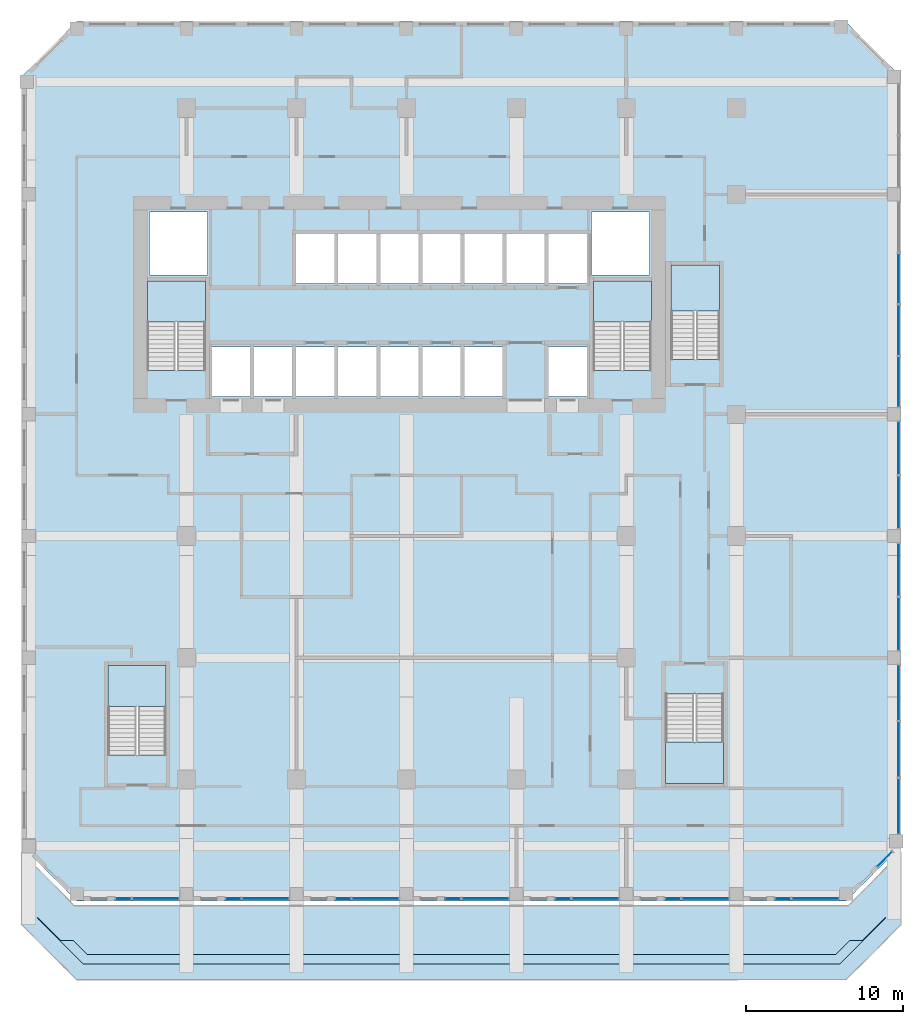
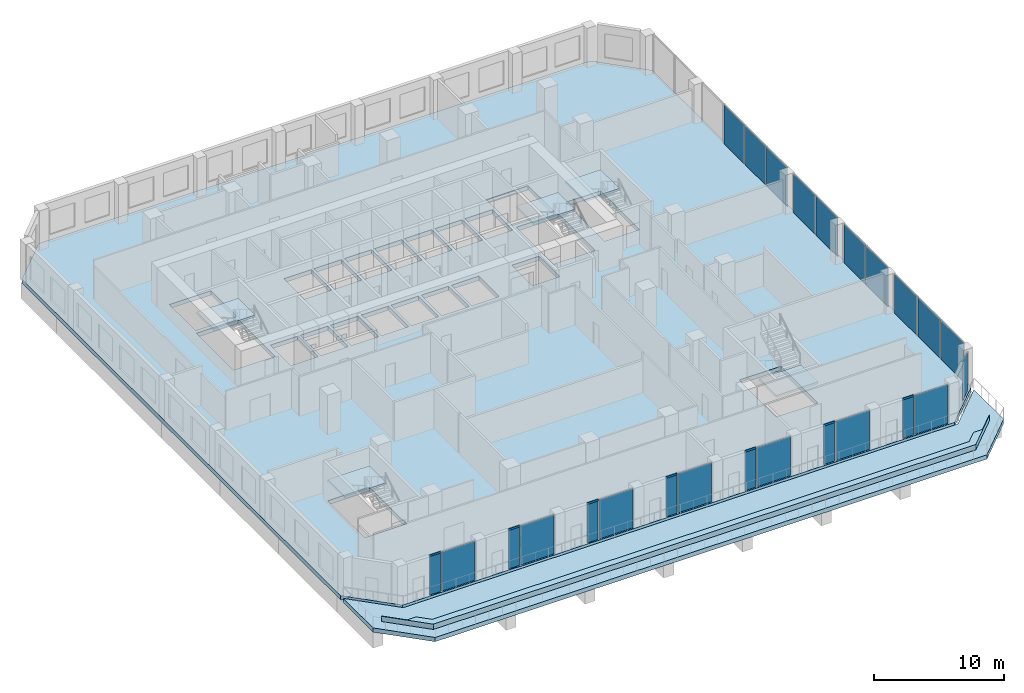
# One storey, part 8 of 17: 25 plates, 8 slabs, 7 members, 30 elements without a shape of their own.
"""IFC4 building model written with IfcOpenShell, lengths in metres."""

from ifc_helpers import new_model, si_unit, direction, frame, origin, origin_2d, place, context, subcontext, project, spatial, polyline, rectangle, outline, extrude, source, transform, mapped, material, layer, layer_set, material_profile, profile_set, type_object, element, aggregate, save


model = new_model("IFC4")

# Units and contexts
model_context = context("Model", 3, precision=1e-05, world=origin(), true_north=direction((0.0, 1.0)))
body_context = subcontext(model_context, "Body", "Model", "MODEL_VIEW")
ifc_project = project(units=[si_unit("LENGTHUNIT", "METRE"), si_unit("AREAUNIT", "SQUARE_METRE"), si_unit("VOLUMEUNIT", "CUBIC_METRE"), si_unit("PLANEANGLEUNIT", "RADIAN"), si_unit("MASSUNIT", "GRAM", prefix="KILO")], contexts=[model_context])

# Site, building, storey
site_placement = place(None, origin())
site = spatial("IfcSite", under=ifc_project, at=site_placement, CompositionType="ELEMENT")
building_placement = place(site_placement, origin())
building = spatial("IfcBuilding", under=site, at=building_placement, Name="Kilnfold Tower and Market Hall", CompositionType="ELEMENT")
storey_placement = place(building_placement, frame((0.0, 0.0, 100.60009765625)))
storey = spatial("IfcBuildingStorey", under=building, at=storey_placement, Name="L23", CompositionType="ELEMENT", Elevation=100.60009765625)

# Curtain wall, member
ifc_material_1 = material(Name="Aluminium and double glazing", Category="aluminium")
curtain_wall_type = type_object("IfcCurtainWallType", Name="CW OF2 VALLEY GLAZING", PredefinedType="NOTDEFINED", material=ifc_material_1)
curtain_wall_1_placement = place(storey_placement, origin())
curtain_wall_1 = element("IfcCurtainWall", 1, at=curtain_wall_1_placement, inside=storey, type_object=curtain_wall_type, Name="Curtain wall CW2 L23 S", PredefinedType="NOTDEFINED")
ifc_material_2 = material(Name="Aluminium", Category="aluminium")
ifc_material_profile = material_profile(ifc_material_2, rectangle(XDim=0.06005859375, YDim=0.159912109375, at=origin_2d()), Name="TRANSOM 60x160")
ifc_profile_set = profile_set([ifc_material_profile], Name="Aluminium")
member_type = type_object("IfcMemberType", Name="TRANSOM 60X160", PredefinedType="USERDEFINED", material=ifc_profile_set)
shared_shape_1 = source(origin(), body_context, "Body", "SweptSolid", [
    extrude(rectangle(XDim=0.06005859375, YDim=0.159912109375, at=origin_2d()), origin(), (0.0, 0.0, 1.0), 0.954833984375),
])
member_1_placement = place(storey_placement, frame((-17.014892578125, -22.85009765625, 3.68994140625), z_axis=(1.0, 0.0, 0.0), x_axis=(0.0, 1.0, 0.0)))
member_1 = element("IfcMember", 2, at=member_1_placement, type_object=member_type, Name="CW2 transom 1.2", ObjectType="TRANSOM", PredefinedType="USERDEFINED", context=body_context, shape_type="MappedRepresentation", body=[
    mapped(shared_shape_1, transform((0.0, 0.0, 0.0))),
])

curtain_wall_2_placement = place(storey_placement, origin())
curtain_wall_2 = element("IfcCurtainWall", 3, at=curtain_wall_2_placement, inside=storey, type_object=curtain_wall_type, Name="Curtain wall CW2 L23 S", PredefinedType="NOTDEFINED")
member_2_placement = place(storey_placement, frame((-10.014892578125, -22.85009765625, 3.68994140625), z_axis=(1.0, 0.0, 0.0), x_axis=(0.0, 1.0, 0.0)))
member_2 = element("IfcMember", 4, at=member_2_placement, type_object=member_type, Name="CW2 transom 1.2", ObjectType="TRANSOM", PredefinedType="USERDEFINED", context=body_context, shape_type="MappedRepresentation", body=[
    mapped(shared_shape_1, transform((0.0, 0.0, 0.0))),
])

curtain_wall_3_placement = place(storey_placement, origin())
curtain_wall_3 = element("IfcCurtainWall", 5, at=curtain_wall_3_placement, inside=storey, type_object=curtain_wall_type, Name="Curtain wall CW2 L23 S", PredefinedType="NOTDEFINED")
member_3_placement = place(storey_placement, frame((-3.014892578125, -22.85009765625, 3.68994140625), z_axis=(1.0, 0.0, 0.0), x_axis=(0.0, 1.0, 0.0)))
member_3 = element("IfcMember", 6, at=member_3_placement, type_object=member_type, Name="CW2 transom 1.2", ObjectType="TRANSOM", PredefinedType="USERDEFINED", context=body_context, shape_type="MappedRepresentation", body=[
    mapped(shared_shape_1, transform((0.0, 0.0, 0.0))),
])

curtain_wall_4_placement = place(storey_placement, origin())
curtain_wall_4 = element("IfcCurtainWall", 7, at=curtain_wall_4_placement, inside=storey, type_object=curtain_wall_type, Name="Curtain wall CW2 L23 S", PredefinedType="NOTDEFINED")
member_4_placement = place(storey_placement, frame((3.985107421875, -22.85009765625, 3.68994140625), z_axis=(1.0, 0.0, 0.0), x_axis=(0.0, 1.0, 0.0)))
member_4 = element("IfcMember", 8, at=member_4_placement, type_object=member_type, Name="CW2 transom 1.2", ObjectType="TRANSOM", PredefinedType="USERDEFINED", context=body_context, shape_type="MappedRepresentation", body=[
    mapped(shared_shape_1, transform((0.0, 0.0, 0.0))),
])

curtain_wall_5_placement = place(storey_placement, origin())
curtain_wall_5 = element("IfcCurtainWall", 9, at=curtain_wall_5_placement, inside=storey, type_object=curtain_wall_type, Name="Curtain wall CW2 L23 S", PredefinedType="NOTDEFINED")
member_5_placement = place(storey_placement, frame((10.985107421875, -22.85009765625, 3.68994140625), z_axis=(1.0, 0.0, 0.0), x_axis=(0.0, 1.0, 0.0)))
member_5 = element("IfcMember", 10, at=member_5_placement, type_object=member_type, Name="CW2 transom 1.2", ObjectType="TRANSOM", PredefinedType="USERDEFINED", context=body_context, shape_type="MappedRepresentation", body=[
    mapped(shared_shape_1, transform((0.0, 0.0, 0.0))),
])

curtain_wall_6_placement = place(storey_placement, origin())
curtain_wall_6 = element("IfcCurtainWall", 11, at=curtain_wall_6_placement, inside=storey, type_object=curtain_wall_type, Name="Curtain wall CW2 L23 S", PredefinedType="NOTDEFINED")
member_6_placement = place(storey_placement, frame((17.985107421875, -22.85009765625, 3.68994140625), z_axis=(1.0, 0.0, 0.0), x_axis=(0.0, 1.0, 0.0)))
member_6 = element("IfcMember", 12, at=member_6_placement, type_object=member_type, Name="CW2 transom 1.2", ObjectType="TRANSOM", PredefinedType="USERDEFINED", context=body_context, shape_type="MappedRepresentation", body=[
    mapped(shared_shape_1, transform((0.0, 0.0, 0.0))),
])

curtain_wall_7_placement = place(storey_placement, origin())
curtain_wall_7 = element("IfcCurtainWall", 13, at=curtain_wall_7_placement, inside=storey, type_object=curtain_wall_type, Name="Curtain wall CW2 L23 S", PredefinedType="NOTDEFINED")
member_7_placement = place(storey_placement, frame((24.985107421875, -22.85009765625, 3.68994140625), z_axis=(1.0, 0.0, 0.0), x_axis=(0.0, 1.0, 0.0)))
member_7 = element("IfcMember", 14, at=member_7_placement, type_object=member_type, Name="CW2 transom 1.2", ObjectType="TRANSOM", PredefinedType="USERDEFINED", context=body_context, shape_type="MappedRepresentation", body=[
    mapped(shared_shape_1, transform((0.0, 0.0, 0.0))),
])

# Slab
ifc_material_3 = material(Name="Concrete C45", Category="concrete")
ifc_layer_1 = layer(ifc_material_3, 0.39990234375)
ifc_layer_set_1 = layer_set([ifc_layer_1], Name="Concrete C45")
slab_type_1 = type_object("IfcSlabType", Name="FLOOR SLAB 400", PredefinedType="FLOOR", material=ifc_layer_set_1)
shared_shape_2 = source(origin(), body_context, "Body", "SweptSolid", [
    extrude(outline(polyline([(-19.5, -23.0), (29.5, -23.0), (33.0, -19.5), (33.0, 29.5), (29.5, 33.0), (-19.5, 33.0), (-23.0, 29.5), (-23.0, -19.5), (-19.5, -23.0)]), holes=[polyline([(-13.800537109375, -13.699462890625), (-17.49951171875, -13.699462890625), (-17.49951171875, -8.00048828125), (-13.800537109375, -8.00048828125), (-13.800537109375, -13.699462890625)]), polyline([(-14.99951171875, 10.800537109375), (-14.99951171875, 16.49951171875), (-11.300537109375, 16.49951171875), (-11.300537109375, 10.800537109375), (-14.99951171875, 10.800537109375)]), polyline([(-14.875, 16.875), (-14.875, 20.875), (-11.175048828125, 20.875), (-11.175048828125, 16.875), (-14.875, 16.875)]), polyline([(-8.455078125, 9.125), (-10.885009765625, 9.125), (-10.885009765625, 12.27490234375), (-8.455078125, 12.27490234375), (-8.455078125, 9.125)]), polyline([(-5.77490234375, 9.125), (-8.205078125, 9.125), (-8.205078125, 12.27490234375), (-5.77490234375, 12.27490234375), (-5.77490234375, 9.125)]), polyline([(-5.52490234375, 9.125), (-5.52490234375, 12.27490234375), (-3.094970703125, 12.27490234375), (-3.094970703125, 9.125), (-5.52490234375, 9.125)]), polyline([(-5.52490234375, 16.324951171875), (-5.52490234375, 19.47509765625), (-3.094970703125, 19.47509765625), (-3.094970703125, 16.324951171875), (-5.52490234375, 16.324951171875)]), polyline([(-2.844970703125, 9.125), (-2.844970703125, 12.27490234375), (-0.4150390625, 12.27490234375), (-0.4150390625, 9.125), (-2.844970703125, 9.125)]), polyline([(-0.4150390625, 16.324951171875), (-2.844970703125, 16.324951171875), (-2.844970703125, 19.47509765625), (-0.4150390625, 19.47509765625), (-0.4150390625, 16.324951171875)]), polyline([(2.264892578125, 9.125), (-0.1650390625, 9.125), (-0.1650390625, 12.27490234375), (2.264892578125, 12.27490234375), (2.264892578125, 9.125)]), polyline([(-0.1650390625, 16.324951171875), (-0.1650390625, 19.47509765625), (2.264892578125, 19.47509765625), (2.264892578125, 16.324951171875), (-0.1650390625, 16.324951171875)]), polyline([(4.945068359375, 9.125), (2.514892578125, 9.125), (2.514892578125, 12.27490234375), (4.945068359375, 12.27490234375), (4.945068359375, 9.125)]), polyline([(2.514892578125, 16.324951171875), (2.514892578125, 19.47509765625), (4.945068359375, 19.47509765625), (4.945068359375, 16.324951171875), (2.514892578125, 16.324951171875)]), polyline([(7.625, 9.125), (5.195068359375, 9.125), (5.195068359375, 12.27490234375), (7.625, 12.27490234375), (7.625, 9.125)]), polyline([(5.195068359375, 16.324951171875), (5.195068359375, 19.47509765625), (7.625, 19.47509765625), (7.625, 16.324951171875), (5.195068359375, 16.324951171875)]), polyline([(10.304931640625, 16.324951171875), (7.875, 16.324951171875), (7.875, 19.47509765625), (10.304931640625, 19.47509765625), (10.304931640625, 16.324951171875)]), polyline([(10.554931640625, 9.125), (10.554931640625, 12.27490234375), (12.985107421875, 12.27490234375), (12.985107421875, 9.125), (10.554931640625, 9.125)]), polyline([(10.554931640625, 16.324951171875), (10.554931640625, 19.47509765625), (12.985107421875, 19.47509765625), (12.985107421875, 16.324951171875), (10.554931640625, 16.324951171875)]), polyline([(13.27490234375, 16.875), (13.27490234375, 20.875), (16.97509765625, 20.875), (16.97509765625, 16.875), (13.27490234375, 16.875)]), polyline([(13.400390625, 10.800537109375), (13.400390625, 16.49951171875), (17.099609375, 16.49951171875), (17.099609375, 10.800537109375), (13.400390625, 10.800537109375)]), polyline([(18.00048828125, -9.800537109375), (21.699462890625, -9.800537109375), (21.699462890625, -15.49951171875), (18.00048828125, -15.49951171875), (18.00048828125, -9.800537109375)]), polyline([(21.449462890625, 11.50048828125), (18.3505859375, 11.50048828125), (18.3505859375, 17.49951171875), (21.449462890625, 17.49951171875), (21.449462890625, 11.50048828125)])]), origin(), (0.0, 0.0, 1.0), 0.400146484375),
])
slab_1_placement = place(storey_placement, frame((0.0, 0.0, -0.400146484375)))
element("IfcSlab", 15, at=slab_1_placement, inside=storey, type_object=slab_type_1, Name="Floor slab L23", PredefinedType="FLOOR", context=body_context, shape_type="MappedRepresentation", body=[
    mapped(shared_shape_2, transform((0.0, 0.0, 0.0))),
])

# Plate
ifc_material_4 = material(Name="Double glazed unit")
ifc_layer_2 = layer(ifc_material_4, 0.031982421875)
ifc_layer_set_2 = layer_set([ifc_layer_2], Name="Double glazed unit")
plate_type = type_object("IfcPlateType", Name="GLAZING PANEL 32", PredefinedType="CURTAIN_PANEL", material=ifc_layer_set_2)
shared_shape_3 = source(origin(), body_context, "Body", "SweptSolid", [
    extrude(rectangle(XDim=0.955078125, YDim=0.031982421875, at=origin_2d()), origin(), (0.0, 0.0, 1.0), 3.659912109375),
])
plate_1_placement = place(storey_placement, frame((-16.53759765625, -22.85009765625, 0.0), z_axis=(0.0, 0.0, 1.0), x_axis=(1.0, 0.0, 0.0)))
plate_1 = element("IfcPlate", 16, at=plate_1_placement, type_object=plate_type, Name="CW2 panel 1.1", PredefinedType="CURTAIN_PANEL", context=body_context, shape_type="MappedRepresentation", body=[
    mapped(shared_shape_3, transform((0.0, 0.0, 0.0))),
])

aggregate(curtain_wall_1, [member_1, plate_1])

plate_2_placement = place(storey_placement, frame((-9.53759765625, -22.85009765625, 0.0), z_axis=(0.0, 0.0, 1.0), x_axis=(1.0, 0.0, 0.0)))
plate_2 = element("IfcPlate", 17, at=plate_2_placement, type_object=plate_type, Name="CW2 panel 1.1", PredefinedType="CURTAIN_PANEL", context=body_context, shape_type="MappedRepresentation", body=[
    mapped(shared_shape_3, transform((0.0, 0.0, 0.0))),
])

aggregate(curtain_wall_2, [member_2, plate_2])

plate_3_placement = place(storey_placement, frame((-2.53759765625, -22.85009765625, 0.0), z_axis=(0.0, 0.0, 1.0), x_axis=(1.0, 0.0, 0.0)))
plate_3 = element("IfcPlate", 18, at=plate_3_placement, type_object=plate_type, Name="CW2 panel 1.1", PredefinedType="CURTAIN_PANEL", context=body_context, shape_type="MappedRepresentation", body=[
    mapped(shared_shape_3, transform((0.0, 0.0, 0.0))),
])

aggregate(curtain_wall_3, [member_3, plate_3])

plate_4_placement = place(storey_placement, frame((4.46240234375, -22.85009765625, 0.0), z_axis=(0.0, 0.0, 1.0), x_axis=(1.0, 0.0, 0.0)))
plate_4 = element("IfcPlate", 19, at=plate_4_placement, type_object=plate_type, Name="CW2 panel 1.1", PredefinedType="CURTAIN_PANEL", context=body_context, shape_type="MappedRepresentation", body=[
    mapped(shared_shape_3, transform((0.0, 0.0, 0.0))),
])

aggregate(curtain_wall_4, [member_4, plate_4])

plate_5_placement = place(storey_placement, frame((11.46240234375, -22.85009765625, 0.0), z_axis=(0.0, 0.0, 1.0), x_axis=(1.0, 0.0, 0.0)))
plate_5 = element("IfcPlate", 20, at=plate_5_placement, type_object=plate_type, Name="CW2 panel 1.1", PredefinedType="CURTAIN_PANEL", context=body_context, shape_type="MappedRepresentation", body=[
    mapped(shared_shape_3, transform((0.0, 0.0, 0.0))),
])

aggregate(curtain_wall_5, [member_5, plate_5])

plate_6_placement = place(storey_placement, frame((18.46240234375, -22.85009765625, 0.0), z_axis=(0.0, 0.0, 1.0), x_axis=(1.0, 0.0, 0.0)))
plate_6 = element("IfcPlate", 21, at=plate_6_placement, type_object=plate_type, Name="CW2 panel 1.1", PredefinedType="CURTAIN_PANEL", context=body_context, shape_type="MappedRepresentation", body=[
    mapped(shared_shape_3, transform((0.0, 0.0, 0.0))),
])

aggregate(curtain_wall_6, [member_6, plate_6])

plate_7_placement = place(storey_placement, frame((25.46240234375, -22.85009765625, 0.0), z_axis=(0.0, 0.0, 1.0), x_axis=(1.0, 0.0, 0.0)))
plate_7 = element("IfcPlate", 22, at=plate_7_placement, type_object=plate_type, Name="CW2 panel 1.1", PredefinedType="CURTAIN_PANEL", context=body_context, shape_type="MappedRepresentation", body=[
    mapped(shared_shape_3, transform((0.0, 0.0, 0.0))),
])

aggregate(curtain_wall_7, [member_7, plate_7])

# Curtain wall, plate
curtain_wall_8_placement = place(storey_placement, origin())
curtain_wall_8 = element("IfcCurtainWall", 23, at=curtain_wall_8_placement, inside=storey, type_object=curtain_wall_type, Name="Curtain wall CW2 L23 S", PredefinedType="NOTDEFINED")
shared_shape_4 = source(origin(), body_context, "Body", "SweptSolid", [
    extrude(rectangle(XDim=2.955078125, YDim=0.031982421875, at=origin_2d()), origin(), (0.0, 0.0, 1.0), 3.659912109375),
])
plate_8_placement = place(storey_placement, frame((-14.46240234375, -22.85009765625, 0.0), z_axis=(0.0, 0.0, 1.0), x_axis=(1.0, 0.0, 0.0)))
plate_8 = element("IfcPlate", 24, at=plate_8_placement, type_object=plate_type, Name="CW2 panel 1.1", PredefinedType="CURTAIN_PANEL", context=body_context, shape_type="MappedRepresentation", body=[
    mapped(shared_shape_4, transform((0.0, 0.0, 0.0))),
])
aggregate(curtain_wall_8, [plate_8])

curtain_wall_9_placement = place(storey_placement, origin())
curtain_wall_9 = element("IfcCurtainWall", 25, at=curtain_wall_9_placement, inside=storey, type_object=curtain_wall_type, Name="Curtain wall CW2 L23 S", PredefinedType="NOTDEFINED")
plate_9_placement = place(storey_placement, frame((-7.46240234375, -22.85009765625, 0.0), z_axis=(0.0, 0.0, 1.0), x_axis=(1.0, 0.0, 0.0)))
plate_9 = element("IfcPlate", 26, at=plate_9_placement, type_object=plate_type, Name="CW2 panel 1.1", PredefinedType="CURTAIN_PANEL", context=body_context, shape_type="MappedRepresentation", body=[
    mapped(shared_shape_4, transform((0.0, 0.0, 0.0))),
])
aggregate(curtain_wall_9, [plate_9])

curtain_wall_10_placement = place(storey_placement, origin())
curtain_wall_10 = element("IfcCurtainWall", 27, at=curtain_wall_10_placement, inside=storey, type_object=curtain_wall_type, Name="Curtain wall CW2 L23 S", PredefinedType="NOTDEFINED")
plate_10_placement = place(storey_placement, frame((-0.46240234375, -22.85009765625, 0.0), z_axis=(0.0, 0.0, 1.0), x_axis=(1.0, 0.0, 0.0)))
plate_10 = element("IfcPlate", 28, at=plate_10_placement, type_object=plate_type, Name="CW2 panel 1.1", PredefinedType="CURTAIN_PANEL", context=body_context, shape_type="MappedRepresentation", body=[
    mapped(shared_shape_4, transform((0.0, 0.0, 0.0))),
])
aggregate(curtain_wall_10, [plate_10])

curtain_wall_11_placement = place(storey_placement, origin())
curtain_wall_11 = element("IfcCurtainWall", 29, at=curtain_wall_11_placement, inside=storey, type_object=curtain_wall_type, Name="Curtain wall CW2 L23 S", PredefinedType="NOTDEFINED")
plate_11_placement = place(storey_placement, frame((6.53759765625, -22.85009765625, 0.0), z_axis=(0.0, 0.0, 1.0), x_axis=(1.0, 0.0, 0.0)))
plate_11 = element("IfcPlate", 30, at=plate_11_placement, type_object=plate_type, Name="CW2 panel 1.1", PredefinedType="CURTAIN_PANEL", context=body_context, shape_type="MappedRepresentation", body=[
    mapped(shared_shape_4, transform((0.0, 0.0, 0.0))),
])
aggregate(curtain_wall_11, [plate_11])

curtain_wall_12_placement = place(storey_placement, origin())
curtain_wall_12 = element("IfcCurtainWall", 31, at=curtain_wall_12_placement, inside=storey, type_object=curtain_wall_type, Name="Curtain wall CW2 L23 S", PredefinedType="NOTDEFINED")
plate_12_placement = place(storey_placement, frame((13.53759765625, -22.85009765625, 0.0), z_axis=(0.0, 0.0, 1.0), x_axis=(1.0, 0.0, 0.0)))
plate_12 = element("IfcPlate", 32, at=plate_12_placement, type_object=plate_type, Name="CW2 panel 1.1", PredefinedType="CURTAIN_PANEL", context=body_context, shape_type="MappedRepresentation", body=[
    mapped(shared_shape_4, transform((0.0, 0.0, 0.0))),
])
aggregate(curtain_wall_12, [plate_12])

curtain_wall_13_placement = place(storey_placement, origin())
curtain_wall_13 = element("IfcCurtainWall", 33, at=curtain_wall_13_placement, inside=storey, type_object=curtain_wall_type, Name="Curtain wall CW2 L23 S", PredefinedType="NOTDEFINED")
plate_13_placement = place(storey_placement, frame((20.53759765625, -22.85009765625, 0.0), z_axis=(0.0, 0.0, 1.0), x_axis=(1.0, 0.0, 0.0)))
plate_13 = element("IfcPlate", 34, at=plate_13_placement, type_object=plate_type, Name="CW2 panel 1.1", PredefinedType="CURTAIN_PANEL", context=body_context, shape_type="MappedRepresentation", body=[
    mapped(shared_shape_4, transform((0.0, 0.0, 0.0))),
])
aggregate(curtain_wall_13, [plate_13])

curtain_wall_14_placement = place(storey_placement, origin())
curtain_wall_14 = element("IfcCurtainWall", 35, at=curtain_wall_14_placement, inside=storey, type_object=curtain_wall_type, Name="Curtain wall CW2 L23 S", PredefinedType="NOTDEFINED")
plate_14_placement = place(storey_placement, frame((27.53759765625, -22.85009765625, 0.0), z_axis=(0.0, 0.0, 1.0), x_axis=(1.0, 0.0, 0.0)))
plate_14 = element("IfcPlate", 36, at=plate_14_placement, type_object=plate_type, Name="CW2 panel 1.1", PredefinedType="CURTAIN_PANEL", context=body_context, shape_type="MappedRepresentation", body=[
    mapped(shared_shape_4, transform((0.0, 0.0, 0.0))),
])
aggregate(curtain_wall_14, [plate_14])

curtain_wall_15_placement = place(storey_placement, origin())
curtain_wall_15 = element("IfcCurtainWall", 37, at=curtain_wall_15_placement, inside=storey, type_object=curtain_wall_type, Name="Curtain wall CW2 L23 SE", PredefinedType="NOTDEFINED")
shared_shape_5 = source(origin(), body_context, "Body", "SweptSolid", [
    extrude(rectangle(XDim=1.3095703125, YDim=0.031982421875, at=origin_2d()), origin(), (0.0, 0.0, 1.0), 3.659912109375),
])
plate_15_placement = place(storey_placement, frame((31.96337890625, -20.32421875, 0.0), z_axis=(0.0, 0.0, 1.0), x_axis=(0.707106781187, 0.707106781187, 0.0)))
plate_15 = element("IfcPlate", 38, at=plate_15_placement, type_object=plate_type, Name="CW2 panel 1.1", PredefinedType="CURTAIN_PANEL", context=body_context, shape_type="MappedRepresentation", body=[
    mapped(shared_shape_5, transform((0.0, 0.0, 0.0))),
])
aggregate(curtain_wall_15, [plate_15])

curtain_wall_16_placement = place(storey_placement, origin())
curtain_wall_16 = element("IfcCurtainWall", 39, at=curtain_wall_16_placement, inside=storey, type_object=curtain_wall_type, Name="Curtain wall CW2 L23 E", PredefinedType="NOTDEFINED")
shared_shape_6 = source(origin(), body_context, "Body", "SweptSolid", [
    extrude(rectangle(XDim=3.490478515625, YDim=0.031982421875, at=origin_2d()), origin(), (0.0, 0.0, 1.0), 3.659912109375),
])
plate_16_placement = place(storey_placement, frame((32.85009765625, -16.951416015625, 0.0), z_axis=(0.0, 0.0, 1.0), x_axis=(0.0, 1.0, 0.0)))
plate_16 = element("IfcPlate", 40, at=plate_16_placement, type_object=plate_type, Name="CW2 panel 1.1", PredefinedType="CURTAIN_PANEL", context=body_context, shape_type="MappedRepresentation", body=[
    mapped(shared_shape_6, transform((0.0, 0.0, 0.0))),
])
aggregate(curtain_wall_16, [plate_16])

curtain_wall_17_placement = place(storey_placement, origin())
curtain_wall_17 = element("IfcCurtainWall", 41, at=curtain_wall_17_placement, inside=storey, type_object=curtain_wall_type, Name="Curtain wall CW2 L23 E", PredefinedType="NOTDEFINED")
plate_17_placement = place(storey_placement, frame((32.85009765625, -13.3408203125, 0.0), z_axis=(0.0, 0.0, 1.0), x_axis=(0.0, 1.0, 0.0)))
plate_17 = element("IfcPlate", 42, at=plate_17_placement, type_object=plate_type, Name="CW2 panel 1.1", PredefinedType="CURTAIN_PANEL", context=body_context, shape_type="MappedRepresentation", body=[
    mapped(shared_shape_6, transform((0.0, 0.0, 0.0))),
])
aggregate(curtain_wall_17, [plate_17])

curtain_wall_18_placement = place(storey_placement, origin())
curtain_wall_18 = element("IfcCurtainWall", 43, at=curtain_wall_18_placement, inside=storey, type_object=curtain_wall_type, Name="Curtain wall CW2 L23 E", PredefinedType="NOTDEFINED")
plate_18_placement = place(storey_placement, frame((32.85009765625, -9.730224609375, 0.0), z_axis=(0.0, 0.0, 1.0), x_axis=(0.0, 1.0, 0.0)))
plate_18 = element("IfcPlate", 44, at=plate_18_placement, type_object=plate_type, Name="CW2 panel 1.1", PredefinedType="CURTAIN_PANEL", context=body_context, shape_type="MappedRepresentation", body=[
    mapped(shared_shape_6, transform((0.0, 0.0, 0.0))),
])
aggregate(curtain_wall_18, [plate_18])

curtain_wall_19_placement = place(storey_placement, origin())
curtain_wall_19 = element("IfcCurtainWall", 45, at=curtain_wall_19_placement, inside=storey, type_object=curtain_wall_type, Name="Curtain wall CW2 L23 E", PredefinedType="NOTDEFINED")
shared_shape_7 = source(origin(), body_context, "Body", "SweptSolid", [
    extrude(rectangle(XDim=3.330078125, YDim=0.031982421875, at=origin_2d()), origin(), (0.0, 0.0, 1.0), 3.659912109375),
])
plate_19_placement = place(storey_placement, frame((32.85009765625, -5.35009765625, 0.0), z_axis=(0.0, 0.0, 1.0), x_axis=(0.0, 1.0, 0.0)))
plate_19 = element("IfcPlate", 46, at=plate_19_placement, type_object=plate_type, Name="CW2 panel 1.1", PredefinedType="CURTAIN_PANEL", context=body_context, shape_type="MappedRepresentation", body=[
    mapped(shared_shape_7, transform((0.0, 0.0, 0.0))),
])
aggregate(curtain_wall_19, [plate_19])

curtain_wall_20_placement = place(storey_placement, origin())
curtain_wall_20 = element("IfcCurtainWall", 47, at=curtain_wall_20_placement, inside=storey, type_object=curtain_wall_type, Name="Curtain wall CW2 L23 E", PredefinedType="NOTDEFINED")
plate_20_placement = place(storey_placement, frame((32.85009765625, -1.89990234375, 0.0), z_axis=(0.0, 0.0, 1.0), x_axis=(0.0, 1.0, 0.0)))
plate_20 = element("IfcPlate", 48, at=plate_20_placement, type_object=plate_type, Name="CW2 panel 1.1", PredefinedType="CURTAIN_PANEL", context=body_context, shape_type="MappedRepresentation", body=[
    mapped(shared_shape_7, transform((0.0, 0.0, 0.0))),
])
aggregate(curtain_wall_20, [plate_20])

curtain_wall_21_placement = place(storey_placement, origin())
curtain_wall_21 = element("IfcCurtainWall", 49, at=curtain_wall_21_placement, inside=storey, type_object=curtain_wall_type, Name="Curtain wall CW2 L23 E", PredefinedType="NOTDEFINED")
plate_21_placement = place(storey_placement, frame((32.85009765625, 2.39990234375, 0.0), z_axis=(0.0, 0.0, 1.0), x_axis=(0.0, 1.0, 0.0)))
plate_21 = element("IfcPlate", 50, at=plate_21_placement, type_object=plate_type, Name="CW2 panel 1.1", PredefinedType="CURTAIN_PANEL", context=body_context, shape_type="MappedRepresentation", body=[
    mapped(shared_shape_7, transform((0.0, 0.0, 0.0))),
])
aggregate(curtain_wall_21, [plate_21])

curtain_wall_22_placement = place(storey_placement, origin())
curtain_wall_22 = element("IfcCurtainWall", 51, at=curtain_wall_22_placement, inside=storey, type_object=curtain_wall_type, Name="Curtain wall CW2 L23 E", PredefinedType="NOTDEFINED")
plate_22_placement = place(storey_placement, frame((32.85009765625, 5.85009765625, 0.0), z_axis=(0.0, 0.0, 1.0), x_axis=(0.0, 1.0, 0.0)))
plate_22 = element("IfcPlate", 52, at=plate_22_placement, type_object=plate_type, Name="CW2 panel 1.1", PredefinedType="CURTAIN_PANEL", context=body_context, shape_type="MappedRepresentation", body=[
    mapped(shared_shape_7, transform((0.0, 0.0, 0.0))),
])
aggregate(curtain_wall_22, [plate_22])

curtain_wall_23_placement = place(storey_placement, origin())
curtain_wall_23 = element("IfcCurtainWall", 53, at=curtain_wall_23_placement, inside=storey, type_object=curtain_wall_type, Name="Curtain wall CW2 L23 E", PredefinedType="NOTDEFINED")
shared_shape_8 = source(origin(), body_context, "Body", "SweptSolid", [
    extrude(rectangle(XDim=3.16748046875, YDim=0.031982421875, at=origin_2d()), origin(), (0.0, 0.0, 1.0), 3.659912109375),
])
plate_23_placement = place(storey_placement, frame((32.85009765625, 10.06884765625, 0.0), z_axis=(0.0, 0.0, 1.0), x_axis=(0.0, 1.0, 0.0)))
plate_23 = element("IfcPlate", 54, at=plate_23_placement, type_object=plate_type, Name="CW2 panel 1.1", PredefinedType="CURTAIN_PANEL", context=body_context, shape_type="MappedRepresentation", body=[
    mapped(shared_shape_8, transform((0.0, 0.0, 0.0))),
])
aggregate(curtain_wall_23, [plate_23])

curtain_wall_24_placement = place(storey_placement, origin())
curtain_wall_24 = element("IfcCurtainWall", 55, at=curtain_wall_24_placement, inside=storey, type_object=curtain_wall_type, Name="Curtain wall CW2 L23 E", PredefinedType="NOTDEFINED")
plate_24_placement = place(storey_placement, frame((32.85009765625, 13.356201171875, 0.0), z_axis=(0.0, 0.0, 1.0), x_axis=(0.0, 1.0, 0.0)))
plate_24 = element("IfcPlate", 56, at=plate_24_placement, type_object=plate_type, Name="CW2 panel 1.1", PredefinedType="CURTAIN_PANEL", context=body_context, shape_type="MappedRepresentation", body=[
    mapped(shared_shape_8, transform((0.0, 0.0, 0.0))),
])
aggregate(curtain_wall_24, [plate_24])

curtain_wall_25_placement = place(storey_placement, origin())
curtain_wall_25 = element("IfcCurtainWall", 57, at=curtain_wall_25_placement, inside=storey, type_object=curtain_wall_type, Name="Curtain wall CW2 L23 E", PredefinedType="NOTDEFINED")
plate_25_placement = place(storey_placement, frame((32.85009765625, 16.643798828125, 0.0), z_axis=(0.0, 0.0, 1.0), x_axis=(0.0, 1.0, 0.0)))
plate_25 = element("IfcPlate", 58, at=plate_25_placement, type_object=plate_type, Name="CW2 panel 1.1", PredefinedType="CURTAIN_PANEL", context=body_context, shape_type="MappedRepresentation", body=[
    mapped(shared_shape_8, transform((0.0, 0.0, 0.0))),
])
aggregate(curtain_wall_25, [plate_25])

# Slabs
ifc_material_5 = material(Name="Concrete C40/50", Category="concrete")
ifc_layer_3 = layer(ifc_material_5, 0.39990234375)
ifc_layer_set_3 = layer_set([ifc_layer_3], Name="Concrete C40/50")
slab_type_2 = type_object("IfcSlabType", Name="TOWER TERRACE SLAB 400", PredefinedType="ROOF", material=ifc_layer_set_3)
shared_shape_9 = source(origin(), body_context, "Body", "SweptSolid", [
    extrude(outline(polyline([(33.0, -24.5), (29.5, -28.0), (-19.5, -28.0), (-23.0, -24.5), (-23.0, -19.92431640625), (-19.624267578125, -23.300048828125), (29.624267578125, -23.300048828125), (33.0, -19.92431640625), (33.0, -24.5)])), origin(), (0.0, 0.0, 1.0), 0.400146484375),
])
slab_2_placement = place(storey_placement, frame((0.0, 0.0, -0.400146484375)))
element("IfcSlab", 59, at=slab_2_placement, inside=storey, type_object=slab_type_2, Name="Terrace slab L23 1", PredefinedType="ROOF", context=body_context, shape_type="MappedRepresentation", body=[
    mapped(shared_shape_9, transform((0.0, 0.0, 0.0))),
])
ifc_material_6 = material(Name="Concrete C40/50", Category="concrete")
ifc_layer_4 = layer(ifc_material_6, 0.5)
ifc_layer_set_4 = layer_set([ifc_layer_4], Name="Concrete C40/50")
slab_type_3 = type_object("IfcSlabType", Name="PLANTER BED 500", PredefinedType="ROOF", material=ifc_layer_set_4)
shared_shape_10 = source(origin(), body_context, "Body", "SweptSolid", [
    extrude(outline(polyline([(-19.085693359375, -27.0), (-22.0, -24.085693359375), (-22.0, -24.035400390625), (-20.535400390625, -25.5), (-19.7373046875, -25.5), (-18.83740234375, -26.39990234375), (28.83740234375, -26.39990234375), (29.7373046875, -25.5), (30.535400390625, -25.5), (32.0, -24.035400390625), (32.0, -24.085693359375), (29.085693359375, -27.0), (-19.085693359375, -27.0)])), origin(), (0.0, 0.0, 1.0), 0.5),
])
slab_3_placement = place(storey_placement, origin())
element("IfcSlab", 60, at=slab_3_placement, inside=storey, type_object=slab_type_3, Name="Planter bed L23 1.1", PredefinedType="ROOF", context=body_context, shape_type="MappedRepresentation", body=[
    mapped(shared_shape_10, transform((0.0, 0.0, 0.0))),
])

# Stair, slab
ifc_material_7 = material(Name="Concrete C40/50", Category="concrete")
stair_type_1 = type_object("IfcStairType", Name="CORE STAIR 1800", PredefinedType="HALF_TURN_STAIR", material=ifc_material_7)
stair_1_placement = place(storey_placement, origin())
stair_1 = element("IfcStair", 61, at=stair_1_placement, inside=storey, type_object=stair_type_1, Name="L23 ST1", PredefinedType="HALF_TURN_STAIR")
ifc_material_8 = material(Name="Concrete C40/50", Category="concrete")
ifc_layer_5 = layer(ifc_material_8, 0.199951171875)
ifc_layer_set_5 = layer_set([ifc_layer_5], Name="Concrete C40/50")
slab_type_4 = type_object("IfcSlabType", Name="CORE STAIR LANDING 200", PredefinedType="LANDING", material=ifc_layer_set_5)
shared_shape_11 = source(origin(), body_context, "Body", "SweptSolid", [
    extrude(outline(polyline([(-11.300048828125, 13.8798828125), (-11.300048828125, 16.5), (-15.0, 16.5), (-15.0, 13.8798828125), (-11.300048828125, 13.8798828125)])), origin(), (0.0, 0.0, 1.0), 0.2001953125),
])
slab_4_placement = place(storey_placement, frame((0.0, 0.0, 1.7998046875)))
slab_4 = element("IfcSlab", 62, at=slab_4_placement, type_object=slab_type_4, Name="ST1 landing 1", PredefinedType="LANDING", context=body_context, shape_type="MappedRepresentation", body=[
    mapped(shared_shape_11, transform((0.0, 0.0, 0.0))),
])
aggregate(stair_1, [slab_4])

stair_2_placement = place(storey_placement, origin())
stair_2 = element("IfcStair", 63, at=stair_2_placement, inside=storey, type_object=stair_type_1, Name="L23 ST2", PredefinedType="HALF_TURN_STAIR")
shared_shape_12 = source(origin(), body_context, "Body", "SweptSolid", [
    extrude(outline(polyline([(17.10009765625, 13.8798828125), (17.10009765625, 16.5), (13.39990234375, 16.5), (13.39990234375, 13.8798828125), (17.10009765625, 13.8798828125)])), origin(), (0.0, 0.0, 1.0), 0.2001953125),
])
slab_5_placement = place(storey_placement, frame((0.0, 0.0, 1.7998046875)))
slab_5 = element("IfcSlab", 64, at=slab_5_placement, type_object=slab_type_4, Name="ST2 landing 1", PredefinedType="LANDING", context=body_context, shape_type="MappedRepresentation", body=[
    mapped(shared_shape_12, transform((0.0, 0.0, 0.0))),
])
aggregate(stair_2, [slab_5])

stair_3_placement = place(storey_placement, origin())
stair_3 = element("IfcStair", 65, at=stair_3_placement, inside=storey, type_object=stair_type_1, Name="L23 ST3", PredefinedType="HALF_TURN_STAIR")
shared_shape_13 = source(origin(), body_context, "Body", "SweptSolid", [
    extrude(outline(polyline([(-13.800048828125, -10.6201171875), (-13.800048828125, -8.0), (-17.5, -8.0), (-17.5, -10.6201171875), (-13.800048828125, -10.6201171875)])), origin(), (0.0, 0.0, 1.0), 0.2001953125),
])
slab_6_placement = place(storey_placement, frame((0.0, 0.0, 1.7998046875)))
slab_6 = element("IfcSlab", 66, at=slab_6_placement, type_object=slab_type_4, Name="ST3 landing 1", PredefinedType="LANDING", context=body_context, shape_type="MappedRepresentation", body=[
    mapped(shared_shape_13, transform((0.0, 0.0, 0.0))),
])
aggregate(stair_3, [slab_6])

stair_4_placement = place(storey_placement, origin())
stair_4 = element("IfcStair", 67, at=stair_4_placement, inside=storey, type_object=stair_type_1, Name="L23 ST4", PredefinedType="HALF_TURN_STAIR")
shared_shape_14 = source(origin(), body_context, "Body", "SweptSolid", [
    extrude(outline(polyline([(18.0, -12.8798828125), (18.0, -15.5), (21.699951171875, -15.5), (21.699951171875, -12.8798828125), (18.0, -12.8798828125)])), origin(), (0.0, 0.0, 1.0), 0.2001953125),
])
slab_7_placement = place(storey_placement, frame((0.0, 0.0, 1.7998046875)))
slab_7 = element("IfcSlab", 68, at=slab_7_placement, type_object=slab_type_4, Name="ST4 landing 1", PredefinedType="LANDING", context=body_context, shape_type="MappedRepresentation", body=[
    mapped(shared_shape_14, transform((0.0, 0.0, 0.0))),
])
aggregate(stair_4, [slab_7])

ifc_material_9 = material(Name="Concrete C40/50", Category="concrete")
stair_type_2 = type_object("IfcStairType", Name="CORE STAIR 1500", PredefinedType="HALF_TURN_STAIR", material=ifc_material_9)
stair_5_placement = place(storey_placement, origin())
stair_5 = element("IfcStair", 69, at=stair_5_placement, inside=storey, type_object=stair_type_2, Name="L23 ST5", PredefinedType="HALF_TURN_STAIR")
shared_shape_15 = source(origin(), body_context, "Body", "SweptSolid", [
    extrude(outline(polyline([(21.449951171875, 14.580078125), (21.449951171875, 17.5), (18.35009765625, 17.5), (18.35009765625, 14.580078125), (21.449951171875, 14.580078125)])), origin(), (0.0, 0.0, 1.0), 0.2001953125),
])
slab_8_placement = place(storey_placement, frame((0.0, 0.0, 1.7998046875)))
slab_8 = element("IfcSlab", 70, at=slab_8_placement, type_object=slab_type_4, Name="ST5 landing 1", PredefinedType="LANDING", context=body_context, shape_type="MappedRepresentation", body=[
    mapped(shared_shape_15, transform((0.0, 0.0, 0.0))),
])
aggregate(stair_5, [slab_8])

save(model, "model.ifc")
